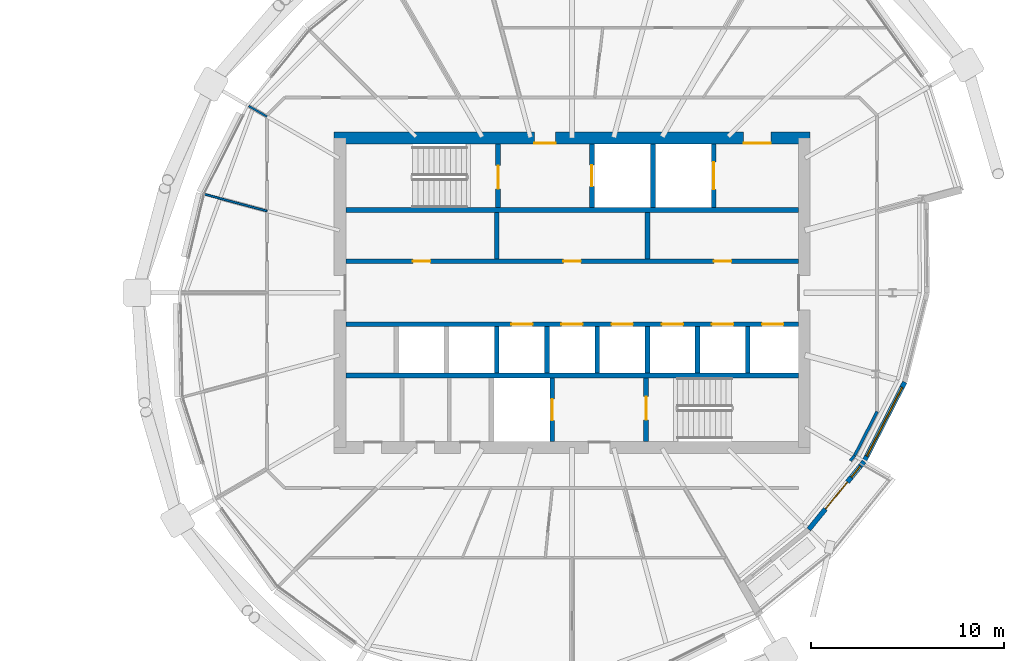
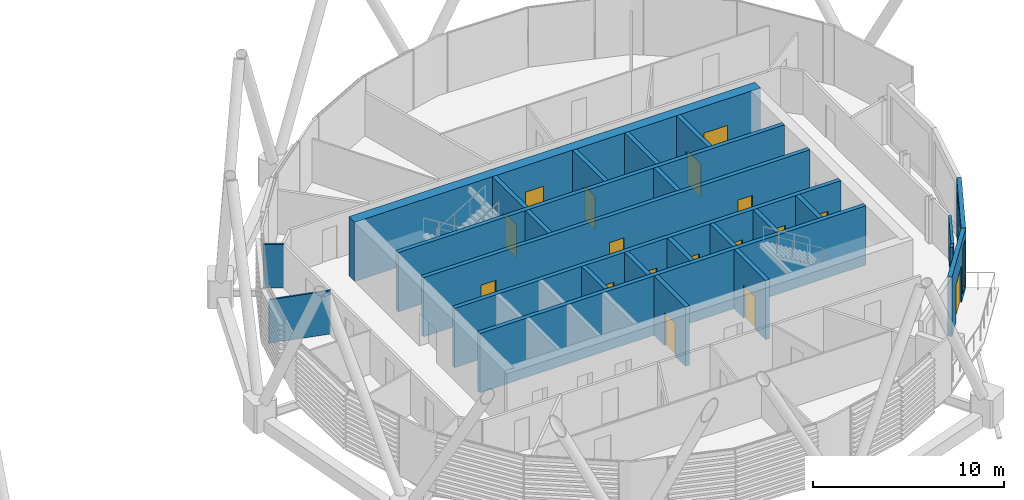
# One storey, part 26 of 36: 25 walls, 17 doors, 2 windows, 19 openings.
"""IFC4 building model written with IfcOpenShell, lengths in metres."""

from ifc_helpers import new_model, si_unit, direction, frame, frame_2d, origin, place, context, subcontext, project, spatial, rectangle, extrude, material, layer, layer_set, type_object, element, fill, save


model = new_model("IFC4")

# Units and contexts
model_context = context("Model", 3, precision=1e-05, world=origin(), true_north=direction((0.0, 1.0)))
body_context = subcontext(model_context, "Body", "Model", "MODEL_VIEW")
ifc_project = project(units=[si_unit("LENGTHUNIT", "METRE"), si_unit("AREAUNIT", "SQUARE_METRE"), si_unit("VOLUMEUNIT", "CUBIC_METRE"), si_unit("PLANEANGLEUNIT", "RADIAN"), si_unit("MASSUNIT", "GRAM", prefix="KILO")], contexts=[model_context])

# Site, building, storey
site_placement = place(None, origin())
site = spatial("IfcSite", under=ifc_project, at=site_placement, CompositionType="ELEMENT")
building_placement = place(site_placement, origin())
building = spatial("IfcBuilding", under=site, at=building_placement, Name="Rimbun Link Towers", CompositionType="ELEMENT")
storey_placement = place(building_placement, frame((0.0, 0.0, 193.10009765625)))
storey = spatial("IfcBuildingStorey", under=building, at=storey_placement, Name="L47", CompositionType="ELEMENT", Elevation=193.10009765625)

# Wall, openings, door, window
ifc_material_1 = material(Name="Dark enamelled glass spandrel on insulated aluminium backpan", Category="aluminium")
ifc_layer_1 = layer(ifc_material_1, 0.25)
ifc_layer_set_1 = layer_set([ifc_layer_1], Name="CS dark enamelled spandrel wall 250")
wall_type_1 = type_object("IfcWallType", Name="CS dark enamelled spandrel wall 250", PredefinedType="STANDARD", material=ifc_layer_set_1)
wall_1_placement = place(storey_placement, frame((46.84912109375, -8.725341796875, 0.0), z_axis=(0.0, 0.0, 1.0), x_axis=(-0.63152540021, -0.775355188858, 0.0)))
wall_1 = element("IfcWall", 1, at=wall_1_placement, inside=storey, type_object=wall_type_1, Name="Crease spandrel wall", PredefinedType="STANDARD", context=body_context, shape_type="SweptSolid", body=[
    extrude(rectangle(XDim=4.530517578125, YDim=0.25, at=frame_2d((2.26513671875, 0.0))), origin(), (0.0, 0.0, 1.0), 3.7998046875),
])
opening_1_placement = place(wall_1_placement, frame((0.3076171875, 0.0, 0.300048828125)))
opening_1 = element("IfcOpeningElement", 2, at=opening_1_placement, cuts=wall_1, Name="Opening WR08H295", PredefinedType="OPENING", context=body_context, shape_type="SweptSolid", body=[
    extrude(rectangle(XDim=0.75, YDim=2.949951171875, at=frame_2d((0.375, 1.47509765625))), frame((0.0, 0.135009765625, 0.0), z_axis=(0.0, -1.0, 0.0), x_axis=(1.0, 0.0, 0.0)), (0.0, 0.0, 1.0), 0.27001953125),
])
opening_2_placement = place(wall_1_placement, frame((1.365234375, 0.0, 0.0)))
opening_2 = element("IfcOpeningElement", 3, at=opening_2_placement, cuts=wall_1, Name="Opening ED78", PredefinedType="OPENING", context=body_context, shape_type="SweptSolid", body=[
    extrude(rectangle(XDim=1.800048828125, YDim=2.39990234375, at=frame_2d((0.89990234375, 1.199951171875))), frame((0.0, 0.135009765625, 0.0), z_axis=(0.0, -1.0, 0.0), x_axis=(1.0, 0.0, 0.0)), (0.0, 0.0, 1.0), 0.27001953125),
])
ifc_material_2 = material(Name="Aluminium framed glazed door, low-iron glass", Category="aluminium")
door_type_1 = type_object("IfcDoorType", Name="ED terrace door double leaf 1800X2400", OperationType="DOUBLE_DOOR_SINGLE_SWING", PredefinedType="DOOR", material=ifc_material_2)
door_1_placement = place(opening_2_placement, origin())
door_1 = element("IfcDoor", 4, at=door_1_placement, inside=storey, type_object=door_type_1, Name="Terrace door", OperationType="SINGLE_SWING_LEFT", OverallHeight=2.39990234375, OverallWidth=1.800048828125, PredefinedType="DOOR", context=body_context, shape_type="SweptSolid", body=[
    extrude(rectangle(XDim=1.800048828125, YDim=2.39990234375, at=frame_2d((0.89990234375, 1.199951171875))), frame((0.0, 0.02490234375, 0.0), z_axis=(0.0, -1.0, 0.0), x_axis=(1.0, 0.0, 0.0)), (0.0, 0.0, 1.0), 0.050048828125),
])
fill(opening_2, door_1)
ifc_material_3 = material(Name="Aluminium framed fixed window, dark tinted low-e glass", Category="aluminium")
window_type_1 = type_object("IfcWindowType", Name="WR ribbon window 750X2950", PartitioningType="SINGLE_PANEL", PredefinedType="WINDOW", material=ifc_material_3)
window_1_placement = place(opening_1_placement, origin())
window_1 = element("IfcWindow", 5, at=window_1_placement, inside=storey, type_object=window_type_1, Name="Crease ribbon window", OverallHeight=2.949951171875, OverallWidth=0.75, PartitioningType="SINGLE_PANEL", PredefinedType="WINDOW", context=body_context, shape_type="SweptSolid", body=[
    extrude(rectangle(XDim=0.75, YDim=2.949951171875, at=frame_2d((0.375, 1.47509765625))), frame((0.0, 0.030029296875, 0.0), z_axis=(0.0, -1.0, 0.0), x_axis=(1.0, 0.0, 0.0)), (0.0, 0.0, 1.0), 0.06005859375),
])
fill(opening_1, window_1)

# Wall, opening, window
wall_2_placement = place(storey_placement, frame((48.952392578125, -4.6220703125, 0.0), z_axis=(0.0, 0.0, 1.0), x_axis=(-0.456150021811, -0.889902892232, 0.0)))
wall_2 = element("IfcWall", 6, at=wall_2_placement, inside=storey, type_object=wall_type_1, Name="Crease spandrel wall", PredefinedType="STANDARD", context=body_context, shape_type="SweptSolid", body=[
    extrude(rectangle(XDim=4.61083984375, YDim=0.25, at=frame_2d((2.305419921875, 0.0))), origin(), (0.0, 0.0, 1.0), 3.7998046875),
])
opening_3_placement = place(wall_2_placement, frame((0.305419921875, 0.0, 0.300048828125)))
opening_3 = element("IfcOpeningElement", 7, at=opening_3_placement, cuts=wall_2, Name="Opening WR40H295", PredefinedType="OPENING", context=body_context, shape_type="SweptSolid", body=[
    extrude(rectangle(XDim=4.0, YDim=2.949951171875, at=frame_2d((2.0, 1.47509765625))), frame((0.0, 0.135009765625, 0.0), z_axis=(0.0, -1.0, 0.0), x_axis=(1.0, 0.0, 0.0)), (0.0, 0.0, 1.0), 0.27001953125),
])
ifc_material_4 = material(Name="Aluminium framed fixed window, dark tinted low-e glass", Category="aluminium")
window_type_2 = type_object("IfcWindowType", Name="WR ribbon window 4000X2950", PartitioningType="SINGLE_PANEL", PredefinedType="WINDOW", material=ifc_material_4)
window_2_placement = place(opening_3_placement, origin())
window_2 = element("IfcWindow", 8, at=window_2_placement, inside=storey, type_object=window_type_2, Name="Crease ribbon window", OverallHeight=2.949951171875, OverallWidth=4.0, PartitioningType="SINGLE_PANEL", PredefinedType="WINDOW", context=body_context, shape_type="SweptSolid", body=[
    extrude(rectangle(XDim=4.0, YDim=2.949951171875, at=frame_2d((2.0, 1.47509765625))), frame((0.0, 0.030029296875, 0.0), z_axis=(0.0, -1.0, 0.0), x_axis=(1.0, 0.0, 0.0)), (0.0, 0.0, 1.0), 0.06005859375),
])
fill(opening_3, window_2)

# Wall, openings, doors
ifc_material_5 = material(Name="Concrete C60/75", Category="concrete")
ifc_layer_2 = layer(ifc_material_5, 0.60009765625)
ifc_layer_set_2 = layer_set([ifc_layer_2], Name="Core shear wall 600")
wall_type_2 = type_object("IfcWallType", Name="Core shear wall 600", PredefinedType="SHEAR", material=ifc_layer_set_2)
wall_3_placement = place(storey_placement, frame((19.449951171875, 8.0, 0.0), z_axis=(0.0, 0.0, 1.0), x_axis=(1.0, 0.0, 0.0)))
wall_3 = element("IfcWall", 9, at=wall_3_placement, inside=storey, type_object=wall_type_2, Name="L47 T2 core wall N", PredefinedType="SHEAR", context=body_context, shape_type="SweptSolid", body=[
    extrude(rectangle(XDim=24.60009765625, YDim=0.60009765625, at=frame_2d((12.300048828125, 0.0))), origin(), (0.0, 0.0, 1.0), 3.7998046875),
])
opening_4_placement = place(wall_3_placement, frame((10.35009765625, 0.0, 0.0)))
opening_4 = element("IfcOpeningElement", 10, at=opening_4_placement, cuts=wall_3, Name="Opening C2DCF01N", PredefinedType="OPENING", context=body_context, shape_type="SweptSolid", body=[
    extrude(rectangle(XDim=1.10009765625, YDim=2.10009765625, at=frame_2d((0.550048828125, 1.050048828125))), frame((0.0, 0.31005859375, 0.0), z_axis=(0.0, -1.0, 0.0), x_axis=(1.0, 0.0, 0.0)), (0.0, 0.0, 1.0), 0.6201171875),
])
opening_5_placement = place(wall_3_placement, frame((21.175048828125, 0.0, 0.0)))
opening_5 = element("IfcOpeningElement", 11, at=opening_5_placement, cuts=wall_3, Name="Opening C2DSL02N", PredefinedType="OPENING", context=body_context, shape_type="SweptSolid", body=[
    extrude(rectangle(XDim=1.39990234375, YDim=2.10009765625, at=frame_2d((0.699951171875, 1.050048828125))), frame((0.0, 0.31005859375, 0.0), z_axis=(0.0, -1.0, 0.0), x_axis=(1.0, 0.0, 0.0)), (0.0, 0.0, 1.0), 0.6201171875),
])
ifc_material_6 = material(Name="Steel fire door set", Category="steel")
door_type_2 = type_object("IfcDoorType", Name="Core fire door single", OperationType="SINGLE_SWING_LEFT", PredefinedType="DOOR", material=ifc_material_6)
door_2_placement = place(opening_4_placement, origin())
door_2 = element("IfcDoor", 12, at=door_2_placement, inside=storey, type_object=door_type_2, Name="L47 T2 firefighting lobby n door", OperationType="SINGLE_SWING_LEFT", OverallHeight=2.10009765625, OverallWidth=1.10009765625, PredefinedType="DOOR", context=body_context, shape_type="SweptSolid", body=[
    extrude(rectangle(XDim=1.10009765625, YDim=2.10009765625, at=frame_2d((0.550048828125, 1.050048828125))), frame((0.0, -0.25, 0.0), z_axis=(0.0, -1.0, 0.0), x_axis=(1.0, 0.0, 0.0)), (0.0, 0.0, 1.0), 0.050048828125),
])
fill(opening_4, door_2)
ifc_material_7 = material(Name="Steel fire door set", Category="steel")
door_type_3 = type_object("IfcDoorType", Name="Service lobby door double", OperationType="DOUBLE_DOOR_SINGLE_SWING", PredefinedType="DOOR", material=ifc_material_7)
door_3_placement = place(opening_5_placement, origin())
door_3 = element("IfcDoor", 13, at=door_3_placement, inside=storey, type_object=door_type_3, Name="L47 T2 service lobby door", OperationType="DOUBLE_DOOR_SINGLE_SWING", OverallHeight=2.10009765625, OverallWidth=1.39990234375, PredefinedType="DOOR", context=body_context, shape_type="SweptSolid", body=[
    extrude(rectangle(XDim=1.39990234375, YDim=2.10009765625, at=frame_2d((0.699951171875, 1.050048828125))), frame((0.0, -0.25, 0.0), z_axis=(0.0, -1.0, 0.0), x_axis=(1.0, 0.0, 0.0)), (0.0, 0.0, 1.0), 0.050048828125),
])
fill(opening_5, door_3)

# Walls
ifc_material_8 = material(Name="Plasterboard on steel stud, mineral wool", Category="steel")
ifc_layer_3 = layer(ifc_material_8, 0.14990234375)
ifc_layer_set_3 = layer_set([ifc_layer_3], Name="Corridor wall EI 30 150 mm")
wall_type_3 = type_object("IfcWallType", Name="Corridor wall EI 30 150 mm", PredefinedType="PARTITIONING", material=ifc_layer_set_3)
wall_4_placement = place(storey_placement, frame((46.364990234375, -8.4091796875, 0.0), z_axis=(0.0, 0.0, 1.0), x_axis=(0.45613926408, 0.88990840639, 0.0)))
element("IfcWall", 14, at=wall_4_placement, inside=storey, type_object=wall_type_3, Name="Corridor wall EI 30 150 mm", PredefinedType="PARTITIONING", context=body_context, shape_type="SweptSolid", body=[
    extrude(rectangle(XDim=2.54296875, YDim=0.14990234375, at=frame_2d((1.271484375, 0.0))), origin(), (0.0, 0.0, 1.0), 2.788818359375),
])
wall_5_placement = place(storey_placement, frame((46.136962890625, -8.689208984375, 0.0), z_axis=(0.0, 0.0, 1.0), x_axis=(0.631432150482, 0.775431131267, 0.0)))
element("IfcWall", 15, at=wall_5_placement, inside=storey, type_object=wall_type_3, Name="Corridor wall EI 30 150 mm", PredefinedType="PARTITIONING", context=body_context, shape_type="SweptSolid", body=[
    extrude(rectangle(XDim=0.361083984375, YDim=0.14990234375, at=frame_2d((0.1806640625, 0.0))), origin(), (0.0, 0.0, 1.0), 2.788818359375),
])
ifc_material_9 = material(Name="Plasterboard on steel stud", Category="steel")
ifc_layer_4 = layer(ifc_material_9, 0.10009765625)
ifc_layer_set_4 = layer_set([ifc_layer_4], Name="Plasterboard partition 100 mm")
wall_type_4 = type_object("IfcWallType", Name="Plasterboard partition 100 mm", PredefinedType="PARTITIONING", material=ifc_layer_set_4)
wall_6_placement = place(storey_placement, frame((15.024169921875, 9.65673828125, 0.0), z_axis=(0.0, 0.0, 1.0), x_axis=(0.866100429271, -0.499870029525, 0.0)))
element("IfcWall", 16, at=wall_6_placement, inside=storey, type_object=wall_type_4, Name="Plasterboard partition 100 mm", PredefinedType="PARTITIONING", context=body_context, shape_type="SweptSolid", body=[
    extrude(rectangle(XDim=1.097900390625, YDim=0.10009765625, at=frame_2d((0.548828125, 0.0))), origin(), (0.0, 0.0, 1.0), 2.788818359375),
])
wall_7_placement = place(storey_placement, frame((12.733642578125, 5.095458984375, 0.0), z_axis=(0.0, 0.0, 1.0), x_axis=(0.965917849167, -0.258848814291, 0.0)))
element("IfcWall", 17, at=wall_7_placement, inside=storey, type_object=wall_type_4, Name="Plasterboard partition 100 mm", PredefinedType="PARTITIONING", context=body_context, shape_type="SweptSolid", body=[
    extrude(rectangle(XDim=3.355712890625, YDim=0.10009765625, at=frame_2d((1.677734375, 0.0))), origin(), (0.0, 0.0, 1.0), 2.788818359375),
])
ifc_material_10 = material(Name="Concrete C60/75", Category="concrete")
ifc_layer_5 = layer(ifc_material_10, 0.25)
ifc_layer_set_5 = layer_set([ifc_layer_5], Name="Shaft wall 250")
wall_type_5 = type_object("IfcWallType", Name="Shaft wall 250", PredefinedType="SHEAR", material=ifc_layer_set_5)
for number, where, z_axis, x_axis, name in (
    (18, (20.050048828125, 4.27490234375, 0.0), (0.0, 0.0, 1.0), (1.0, 0.0, 0.0), "L47 T2 core wall BN"),
    (19, (20.050048828125, -4.27490234375, 0.0), (0.0, 0.0, 1.0), (1.0, 0.0, 0.0), "L47 T2 core wall BS"),
):
    element("IfcWall", number, at=place(storey_placement, frame(where, z_axis=z_axis, x_axis=x_axis)), inside=storey, type_object=wall_type_5, Name=name, PredefinedType="SHEAR", context=body_context, shape_type="SweptSolid", body=[
        extrude(rectangle(XDim=23.39990234375, YDim=0.25, at=frame_2d((11.699951171875, 0.0))), origin(), (0.0, 0.0, 1.0), 3.7998046875),
    ])

# Wall, openings, doors
wall_8_placement = place(storey_placement, frame((20.050048828125, 1.625, 0.0), z_axis=(0.0, 0.0, 1.0), x_axis=(1.0, 0.0, 0.0)))
wall_8 = element("IfcWall", 20, at=wall_8_placement, inside=storey, type_object=wall_type_5, Name="L47 T2 core wall FN", PredefinedType="SHEAR", context=body_context, shape_type="SweptSolid", body=[
    extrude(rectangle(XDim=23.39990234375, YDim=0.25, at=frame_2d((11.699951171875, 0.0))), origin(), (0.0, 0.0, 1.0), 3.7998046875),
])
opening_6_placement = place(wall_8_placement, frame((3.466796875, 0.0, 0.0)))
opening_6 = element("IfcOpeningElement", 21, at=opening_6_placement, cuts=wall_8, Name="Opening C2DRS01FN", PredefinedType="OPENING", context=body_context, shape_type="SweptSolid", body=[
    extrude(rectangle(XDim=0.89990234375, YDim=2.10009765625, at=frame_2d((0.449951171875, 1.050048828125))), frame((0.0, 0.135009765625, 0.0), z_axis=(0.0, -1.0, 0.0), x_axis=(1.0, 0.0, 0.0)), (0.0, 0.0, 1.0), 0.27001953125),
])
opening_7_placement = place(wall_8_placement, frame((11.25, 0.0, 0.0)))
opening_7 = element("IfcOpeningElement", 22, at=opening_7_placement, cuts=wall_8, Name="Opening C2DRS02FN", PredefinedType="OPENING", context=body_context, shape_type="SweptSolid", body=[
    extrude(rectangle(XDim=0.89990234375, YDim=2.10009765625, at=frame_2d((0.449951171875, 1.050048828125))), frame((0.0, 0.135009765625, 0.0), z_axis=(0.0, -1.0, 0.0), x_axis=(1.0, 0.0, 0.0)), (0.0, 0.0, 1.0), 0.27001953125),
])
opening_8_placement = place(wall_8_placement, frame((19.033203125, 0.0, 0.0)))
opening_8 = element("IfcOpeningElement", 23, at=opening_8_placement, cuts=wall_8, Name="Opening C2DRS03FN", PredefinedType="OPENING", context=body_context, shape_type="SweptSolid", body=[
    extrude(rectangle(XDim=0.89990234375, YDim=2.10009765625, at=frame_2d((0.449951171875, 1.050048828125))), frame((0.0, 0.135009765625, 0.0), z_axis=(0.0, -1.0, 0.0), x_axis=(1.0, 0.0, 0.0)), (0.0, 0.0, 1.0), 0.27001953125),
])
ifc_material_11 = material(Name="Steel fire door set", Category="steel")
door_type_4 = type_object("IfcDoorType", Name="Core riser door", OperationType="SINGLE_SWING_LEFT", PredefinedType="DOOR", material=ifc_material_11)
door_4_placement = place(opening_6_placement, origin())
door_4 = element("IfcDoor", 24, at=door_4_placement, inside=storey, type_object=door_type_4, Name="L47 T2 records store door", OperationType="SINGLE_SWING_RIGHT", OverallHeight=2.10009765625, OverallWidth=0.89990234375, PredefinedType="DOOR", context=body_context, shape_type="SweptSolid", body=[
    extrude(rectangle(XDim=0.89990234375, YDim=2.10009765625, at=frame_2d((0.449951171875, 1.050048828125))), frame((0.0, 0.02490234375, 0.0), z_axis=(0.0, -1.0, 0.0), x_axis=(1.0, 0.0, 0.0)), (0.0, 0.0, 1.0), 0.050048828125),
])
fill(opening_6, door_4)
door_5_placement = place(opening_7_placement, origin())
door_5 = element("IfcDoor", 25, at=door_5_placement, inside=storey, type_object=door_type_4, Name="L47 T2 training store door", OperationType="SINGLE_SWING_LEFT", OverallHeight=2.10009765625, OverallWidth=0.89990234375, PredefinedType="DOOR", context=body_context, shape_type="SweptSolid", body=[
    extrude(rectangle(XDim=0.89990234375, YDim=2.10009765625, at=frame_2d((0.449951171875, 1.050048828125))), frame((0.0, 0.02490234375, 0.0), z_axis=(0.0, -1.0, 0.0), x_axis=(1.0, 0.0, 0.0)), (0.0, 0.0, 1.0), 0.050048828125),
])
fill(opening_7, door_5)
door_6_placement = place(opening_8_placement, origin())
door_6 = element("IfcDoor", 26, at=door_6_placement, inside=storey, type_object=door_type_4, Name="L47 T2 meeting pod door", OperationType="SINGLE_SWING_LEFT", OverallHeight=2.10009765625, OverallWidth=0.89990234375, PredefinedType="DOOR", context=body_context, shape_type="SweptSolid", body=[
    extrude(rectangle(XDim=0.89990234375, YDim=2.10009765625, at=frame_2d((0.449951171875, 1.050048828125))), frame((0.0, 0.02490234375, 0.0), z_axis=(0.0, -1.0, 0.0), x_axis=(1.0, 0.0, 0.0)), (0.0, 0.0, 1.0), 0.050048828125),
])
fill(opening_8, door_6)

wall_9_placement = place(storey_placement, frame((20.050048828125, -1.625, 0.0), z_axis=(0.0, 0.0, 1.0), x_axis=(1.0, 0.0, 0.0)))
wall_9 = element("IfcWall", 27, at=wall_9_placement, inside=storey, type_object=wall_type_5, Name="L47 T2 core wall FS", PredefinedType="SHEAR", context=body_context, shape_type="SweptSolid", body=[
    extrude(rectangle(XDim=23.39990234375, YDim=0.25, at=frame_2d((11.699951171875, 0.0))), origin(), (0.0, 0.0, 1.0), 3.7998046875),
])
opening_9_placement = place(wall_9_placement, frame((8.5556640625, 0.0, 0.0)))
opening_9 = element("IfcOpeningElement", 28, at=opening_9_placement, cuts=wall_9, Name="Opening LD-T2-HR1", PredefinedType="OPENING", context=body_context, shape_type="SweptSolid", body=[
    extrude(rectangle(XDim=1.10009765625, YDim=2.10009765625, at=frame_2d((0.550048828125, 1.050048828125))), frame((0.0, 0.135009765625, 0.0), z_axis=(0.0, -1.0, 0.0), x_axis=(1.0, 0.0, 0.0)), (0.0, 0.0, 1.0), 0.27001953125),
])
opening_10_placement = place(wall_9_placement, frame((11.14990234375, 0.0, 0.0)))
opening_10 = element("IfcOpeningElement", 29, at=opening_10_placement, cuts=wall_9, Name="Opening LD-T2-HR2", PredefinedType="OPENING", context=body_context, shape_type="SweptSolid", body=[
    extrude(rectangle(XDim=1.10009765625, YDim=2.10009765625, at=frame_2d((0.550048828125, 1.050048828125))), frame((0.0, 0.135009765625, 0.0), z_axis=(0.0, -1.0, 0.0), x_axis=(1.0, 0.0, 0.0)), (0.0, 0.0, 1.0), 0.27001953125),
])
opening_11_placement = place(wall_9_placement, frame((13.744384765625, 0.0, 0.0)))
opening_11 = element("IfcOpeningElement", 30, at=opening_11_placement, cuts=wall_9, Name="Opening LD-T2-HR3", PredefinedType="OPENING", context=body_context, shape_type="SweptSolid", body=[
    extrude(rectangle(XDim=1.10009765625, YDim=2.10009765625, at=frame_2d((0.550048828125, 1.050048828125))), frame((0.0, 0.135009765625, 0.0), z_axis=(0.0, -1.0, 0.0), x_axis=(1.0, 0.0, 0.0)), (0.0, 0.0, 1.0), 0.27001953125),
])
opening_12_placement = place(wall_9_placement, frame((16.3388671875, 0.0, 0.0)))
opening_12 = element("IfcOpeningElement", 31, at=opening_12_placement, cuts=wall_9, Name="Opening LD-T2-HR4", PredefinedType="OPENING", context=body_context, shape_type="SweptSolid", body=[
    extrude(rectangle(XDim=1.10009765625, YDim=2.10009765625, at=frame_2d((0.550048828125, 1.050048828125))), frame((0.0, 0.135009765625, 0.0), z_axis=(0.0, -1.0, 0.0), x_axis=(1.0, 0.0, 0.0)), (0.0, 0.0, 1.0), 0.27001953125),
])
opening_13_placement = place(wall_9_placement, frame((18.933349609375, 0.0, 0.0)))
opening_13 = element("IfcOpeningElement", 32, at=opening_13_placement, cuts=wall_9, Name="Opening LD-T2-HR5", PredefinedType="OPENING", context=body_context, shape_type="SweptSolid", body=[
    extrude(rectangle(XDim=1.10009765625, YDim=2.10009765625, at=frame_2d((0.550048828125, 1.050048828125))), frame((0.0, 0.135009765625, 0.0), z_axis=(0.0, -1.0, 0.0), x_axis=(1.0, 0.0, 0.0)), (0.0, 0.0, 1.0), 0.27001953125),
])
opening_14_placement = place(wall_9_placement, frame((21.52783203125, 0.0, 0.0)))
opening_14 = element("IfcOpeningElement", 33, at=opening_14_placement, cuts=wall_9, Name="Opening LD-T2-HR6", PredefinedType="OPENING", context=body_context, shape_type="SweptSolid", body=[
    extrude(rectangle(XDim=1.10009765625, YDim=2.10009765625, at=frame_2d((0.550048828125, 1.050048828125))), frame((0.0, 0.135009765625, 0.0), z_axis=(0.0, -1.0, 0.0), x_axis=(1.0, 0.0, 0.0)), (0.0, 0.0, 1.0), 0.27001953125),
])
ifc_material_12 = material(Name="Stainless steel grade 316", Category="steel")
door_type_5 = type_object("IfcDoorType", Name="Lift landing door", OperationType="DOUBLE_DOOR_SLIDING", PredefinedType="DOOR", material=ifc_material_12)
door_7_placement = place(opening_9_placement, origin())
door_7 = element("IfcDoor", 34, at=door_7_placement, inside=storey, type_object=door_type_5, Name="L47 T2 lift HR1 landing door", OperationType="DOUBLE_DOOR_SLIDING", OverallHeight=2.10009765625, OverallWidth=1.10009765625, PredefinedType="DOOR", context=body_context, shape_type="SweptSolid", body=[
    extrude(rectangle(XDim=1.10009765625, YDim=2.10009765625, at=frame_2d((0.550048828125, 1.050048828125))), frame((0.0, 0.02490234375, 0.0), z_axis=(0.0, -1.0, 0.0), x_axis=(1.0, 0.0, 0.0)), (0.0, 0.0, 1.0), 0.050048828125),
])
fill(opening_9, door_7)
door_8_placement = place(opening_10_placement, origin())
door_8 = element("IfcDoor", 35, at=door_8_placement, inside=storey, type_object=door_type_5, Name="L47 T2 lift HR2 landing door", OperationType="DOUBLE_DOOR_SLIDING", OverallHeight=2.10009765625, OverallWidth=1.10009765625, PredefinedType="DOOR", context=body_context, shape_type="SweptSolid", body=[
    extrude(rectangle(XDim=1.10009765625, YDim=2.10009765625, at=frame_2d((0.550048828125, 1.050048828125))), frame((0.0, 0.02490234375, 0.0), z_axis=(0.0, -1.0, 0.0), x_axis=(1.0, 0.0, 0.0)), (0.0, 0.0, 1.0), 0.050048828125),
])
fill(opening_10, door_8)
door_9_placement = place(opening_11_placement, origin())
door_9 = element("IfcDoor", 36, at=door_9_placement, inside=storey, type_object=door_type_5, Name="L47 T2 lift HR3 landing door", OperationType="DOUBLE_DOOR_SLIDING", OverallHeight=2.10009765625, OverallWidth=1.10009765625, PredefinedType="DOOR", context=body_context, shape_type="SweptSolid", body=[
    extrude(rectangle(XDim=1.10009765625, YDim=2.10009765625, at=frame_2d((0.550048828125, 1.050048828125))), frame((0.0, 0.02490234375, 0.0), z_axis=(0.0, -1.0, 0.0), x_axis=(1.0, 0.0, 0.0)), (0.0, 0.0, 1.0), 0.050048828125),
])
fill(opening_11, door_9)
door_10_placement = place(opening_12_placement, origin())
door_10 = element("IfcDoor", 37, at=door_10_placement, inside=storey, type_object=door_type_5, Name="L47 T2 lift HR4 landing door", OperationType="DOUBLE_DOOR_SLIDING", OverallHeight=2.10009765625, OverallWidth=1.10009765625, PredefinedType="DOOR", context=body_context, shape_type="SweptSolid", body=[
    extrude(rectangle(XDim=1.10009765625, YDim=2.10009765625, at=frame_2d((0.550048828125, 1.050048828125))), frame((0.0, 0.02490234375, 0.0), z_axis=(0.0, -1.0, 0.0), x_axis=(1.0, 0.0, 0.0)), (0.0, 0.0, 1.0), 0.050048828125),
])
fill(opening_12, door_10)
door_11_placement = place(opening_13_placement, origin())
door_11 = element("IfcDoor", 38, at=door_11_placement, inside=storey, type_object=door_type_5, Name="L47 T2 lift HR5 landing door", OperationType="DOUBLE_DOOR_SLIDING", OverallHeight=2.10009765625, OverallWidth=1.10009765625, PredefinedType="DOOR", context=body_context, shape_type="SweptSolid", body=[
    extrude(rectangle(XDim=1.10009765625, YDim=2.10009765625, at=frame_2d((0.550048828125, 1.050048828125))), frame((0.0, 0.02490234375, 0.0), z_axis=(0.0, -1.0, 0.0), x_axis=(1.0, 0.0, 0.0)), (0.0, 0.0, 1.0), 0.050048828125),
])
fill(opening_13, door_11)
door_12_placement = place(opening_14_placement, origin())
door_12 = element("IfcDoor", 39, at=door_12_placement, inside=storey, type_object=door_type_5, Name="L47 T2 lift HR6 landing door", OperationType="DOUBLE_DOOR_SLIDING", OverallHeight=2.10009765625, OverallWidth=1.10009765625, PredefinedType="DOOR", context=body_context, shape_type="SweptSolid", body=[
    extrude(rectangle(XDim=1.10009765625, YDim=2.10009765625, at=frame_2d((0.550048828125, 1.050048828125))), frame((0.0, 0.02490234375, 0.0), z_axis=(0.0, -1.0, 0.0), x_axis=(1.0, 0.0, 0.0)), (0.0, 0.0, 1.0), 0.050048828125),
])
fill(opening_14, door_12)

# Walls
for number, where, z_axis, x_axis, name in (
    (40, (27.8583984375, 1.75, 0.0), (0.0, 0.0, 1.0), (0.0, 1.0, 0.0), "L47 T2 core wall DN2"),
    (41, (35.6416015625, 1.75, 0.0), (0.0, 0.0, 1.0), (0.0, 1.0, 0.0), "L47 T2 core wall DN5"),
    (42, (27.8583984375, -4.14990234375, 0.0), (0.0, 0.0, 1.0), (0.0, 1.0, 0.0), "L47 T2 core wall DS2"),
    (43, (30.452880859375, -4.14990234375, 0.0), (0.0, 0.0, 1.0), (0.0, 1.0, 0.0), "L47 T2 core wall DS3"),
    (44, (33.047119140625, -4.14990234375, 0.0), (0.0, 0.0, 1.0), (0.0, 1.0, 0.0), "L47 T2 core wall DS4"),
    (45, (35.6416015625, -4.14990234375, 0.0), (0.0, 0.0, 1.0), (0.0, 1.0, 0.0), "L47 T2 core wall DS5"),
    (46, (38.236083984375, -4.14990234375, 0.0), (0.0, 0.0, 1.0), (0.0, 1.0, 0.0), "L47 T2 core wall DS6"),
    (47, (40.83056640625, -4.14990234375, 0.0), (0.0, 0.0, 1.0), (0.0, 1.0, 0.0), "L47 T2 core wall DS7"),
):
    element("IfcWall", number, at=place(storey_placement, frame(where, z_axis=z_axis, x_axis=x_axis)), inside=storey, type_object=wall_type_5, Name=name, PredefinedType="SHEAR", context=body_context, shape_type="SweptSolid", body=[
        extrude(rectangle(XDim=2.39990234375, YDim=0.25, at=frame_2d((1.199951171875, 0.0))), origin(), (0.0, 0.0, 1.0), 3.7998046875),
    ])

# Wall, opening, door
wall_10_placement = place(storey_placement, frame((27.925048828125, 4.39990234375, 0.0), z_axis=(0.0, 0.0, 1.0), x_axis=(0.0, 1.0, 0.0)))
wall_10 = element("IfcWall", 48, at=wall_10_placement, inside=storey, type_object=wall_type_5, Name="L47 T2 core wall A1", PredefinedType="SHEAR", context=body_context, shape_type="SweptSolid", body=[
    extrude(rectangle(XDim=3.300048828125, YDim=0.25, at=frame_2d((1.64990234375, 0.0))), origin(), (0.0, 0.0, 1.0), 3.7998046875),
])
opening_15_placement = place(wall_10_placement, frame((0.97509765625, 0.0, 0.0)))
opening_15 = element("IfcOpeningElement", 49, at=opening_15_placement, cuts=wall_10, Name="Opening C2DST01A1", PredefinedType="OPENING", context=body_context, shape_type="SweptSolid", body=[
    extrude(rectangle(XDim=1.199951171875, YDim=2.10009765625, at=frame_2d((0.60009765625, 1.050048828125))), frame((0.0, 0.135009765625, 0.0), z_axis=(0.0, -1.0, 0.0), x_axis=(1.0, 0.0, 0.0)), (0.0, 0.0, 1.0), 0.27001953125),
])
ifc_material_13 = material(Name="Steel fire door set", Category="steel")
door_type_6 = type_object("IfcDoorType", Name="Stair door", OperationType="SINGLE_SWING_LEFT", PredefinedType="DOOR", material=ifc_material_13)
door_13_placement = place(opening_15_placement, origin())
door_13 = element("IfcDoor", 50, at=door_13_placement, inside=storey, type_object=door_type_6, Name="L47 T2 stair a door", OperationType="SINGLE_SWING_RIGHT", OverallHeight=2.10009765625, OverallWidth=1.199951171875, PredefinedType="DOOR", context=body_context, shape_type="SweptSolid", body=[
    extrude(rectangle(XDim=1.199951171875, YDim=2.10009765625, at=frame_2d((0.60009765625, 1.050048828125))), frame((0.0, 0.02490234375, 0.0), z_axis=(0.0, -1.0, 0.0), x_axis=(1.0, 0.0, 0.0)), (0.0, 0.0, 1.0), 0.050048828125),
])
fill(opening_15, door_13)

wall_11_placement = place(storey_placement, frame((32.77490234375, 4.39990234375, 0.0), z_axis=(0.0, 0.0, 1.0), x_axis=(0.0, 1.0, 0.0)))
wall_11 = element("IfcWall", 51, at=wall_11_placement, inside=storey, type_object=wall_type_5, Name="L47 T2 core wall A2", PredefinedType="SHEAR", context=body_context, shape_type="SweptSolid", body=[
    extrude(rectangle(XDim=3.300048828125, YDim=0.25, at=frame_2d((1.64990234375, 0.0))), origin(), (0.0, 0.0, 1.0), 3.7998046875),
])
opening_16_placement = place(wall_11_placement, frame((1.10009765625, 0.0, 0.0)))
opening_16 = element("IfcOpeningElement", 52, at=opening_16_placement, cuts=wall_11, Name="Opening LD-T2-FF1", PredefinedType="OPENING", context=body_context, shape_type="SweptSolid", body=[
    extrude(rectangle(XDim=1.10009765625, YDim=2.10009765625, at=frame_2d((0.550048828125, 1.050048828125))), frame((0.0, 0.135009765625, 0.0), z_axis=(0.0, -1.0, 0.0), x_axis=(1.0, 0.0, 0.0)), (0.0, 0.0, 1.0), 0.27001953125),
])
door_14_placement = place(opening_16_placement, origin())
door_14 = element("IfcDoor", 53, at=door_14_placement, inside=storey, type_object=door_type_5, Name="L47 T2 lift FF1 landing door", OperationType="DOUBLE_DOOR_SLIDING", OverallHeight=2.10009765625, OverallWidth=1.10009765625, PredefinedType="DOOR", context=body_context, shape_type="SweptSolid", body=[
    extrude(rectangle(XDim=1.10009765625, YDim=2.10009765625, at=frame_2d((0.550048828125, 1.050048828125))), frame((0.0, 0.02490234375, 0.0), z_axis=(0.0, -1.0, 0.0), x_axis=(1.0, 0.0, 0.0)), (0.0, 0.0, 1.0), 0.050048828125),
])
fill(opening_16, door_14)

# Wall
wall_12_placement = place(storey_placement, frame((35.925048828125, 4.39990234375, 0.0), z_axis=(0.0, 0.0, 1.0), x_axis=(0.0, 1.0, 0.0)))
element("IfcWall", 54, at=wall_12_placement, inside=storey, type_object=wall_type_5, Name="L47 T2 core wall A3", PredefinedType="SHEAR", context=body_context, shape_type="SweptSolid", body=[
    extrude(rectangle(XDim=3.300048828125, YDim=0.25, at=frame_2d((1.64990234375, 0.0))), origin(), (0.0, 0.0, 1.0), 3.7998046875),
])

# Wall, opening, door
wall_13_placement = place(storey_placement, frame((39.074951171875, 4.39990234375, 0.0), z_axis=(0.0, 0.0, 1.0), x_axis=(0.0, 1.0, 0.0)))
wall_13 = element("IfcWall", 55, at=wall_13_placement, inside=storey, type_object=wall_type_5, Name="L47 T2 core wall A4", PredefinedType="SHEAR", context=body_context, shape_type="SweptSolid", body=[
    extrude(rectangle(XDim=3.300048828125, YDim=0.25, at=frame_2d((1.64990234375, 0.0))), origin(), (0.0, 0.0, 1.0), 3.7998046875),
])
opening_17_placement = place(wall_13_placement, frame((0.949951171875, 0.0, 0.0)))
opening_17 = element("IfcOpeningElement", 56, at=opening_17_placement, cuts=wall_13, Name="Opening LD-T2-GL1", PredefinedType="OPENING", context=body_context, shape_type="SweptSolid", body=[
    extrude(rectangle(XDim=1.39990234375, YDim=2.10009765625, at=frame_2d((0.699951171875, 1.050048828125))), frame((0.0, 0.135009765625, 0.0), z_axis=(0.0, -1.0, 0.0), x_axis=(1.0, 0.0, 0.0)), (0.0, 0.0, 1.0), 0.27001953125),
])
ifc_material_14 = material(Name="Stainless steel grade 316", Category="steel")
door_type_7 = type_object("IfcDoorType", Name="Goods lift landing door", OperationType="DOUBLE_DOOR_SLIDING", PredefinedType="DOOR", material=ifc_material_14)
door_15_placement = place(opening_17_placement, origin())
door_15 = element("IfcDoor", 57, at=door_15_placement, inside=storey, type_object=door_type_7, Name="L47 T2 lift GL1 landing door", OperationType="DOUBLE_DOOR_SLIDING", OverallHeight=2.10009765625, OverallWidth=1.39990234375, PredefinedType="DOOR", context=body_context, shape_type="SweptSolid", body=[
    extrude(rectangle(XDim=1.39990234375, YDim=2.10009765625, at=frame_2d((0.699951171875, 1.050048828125))), frame((0.0, 0.02490234375, 0.0), z_axis=(0.0, -1.0, 0.0), x_axis=(1.0, 0.0, 0.0)), (0.0, 0.0, 1.0), 0.050048828125),
])
fill(opening_17, door_15)

wall_14_placement = place(storey_placement, frame((35.574951171875, -4.39990234375, 0.0), z_axis=(0.0, 0.0, 1.0), x_axis=(0.0, -1.0, 0.0)))
wall_14 = element("IfcWall", 58, at=wall_14_placement, inside=storey, type_object=wall_type_5, Name="L47 T2 core wall B1", PredefinedType="SHEAR", context=body_context, shape_type="SweptSolid", body=[
    extrude(rectangle(XDim=3.300048828125, YDim=0.25, at=frame_2d((1.64990234375, 0.0))), origin(), (0.0, 0.0, 1.0), 3.7998046875),
])
opening_18_placement = place(wall_14_placement, frame((0.97509765625, 0.0, 0.0)))
opening_18 = element("IfcOpeningElement", 59, at=opening_18_placement, cuts=wall_14, Name="Opening C2DST01B1", PredefinedType="OPENING", context=body_context, shape_type="SweptSolid", body=[
    extrude(rectangle(XDim=1.199951171875, YDim=2.10009765625, at=frame_2d((0.60009765625, 1.050048828125))), frame((0.0, 0.135009765625, 0.0), z_axis=(0.0, -1.0, 0.0), x_axis=(1.0, 0.0, 0.0)), (0.0, 0.0, 1.0), 0.27001953125),
])
door_16_placement = place(opening_18_placement, origin())
door_16 = element("IfcDoor", 60, at=door_16_placement, inside=storey, type_object=door_type_6, Name="L47 T2 stair b door", OperationType="SINGLE_SWING_RIGHT", OverallHeight=2.10009765625, OverallWidth=1.199951171875, PredefinedType="DOOR", context=body_context, shape_type="SweptSolid", body=[
    extrude(rectangle(XDim=1.199951171875, YDim=2.10009765625, at=frame_2d((0.60009765625, 1.050048828125))), frame((0.0, 0.02490234375, 0.0), z_axis=(0.0, -1.0, 0.0), x_axis=(1.0, 0.0, 0.0)), (0.0, 0.0, 1.0), 0.050048828125),
])
fill(opening_18, door_16)

wall_15_placement = place(storey_placement, frame((30.72509765625, -4.39990234375, 0.0), z_axis=(0.0, 0.0, 1.0), x_axis=(0.0, -1.0, 0.0)))
wall_15 = element("IfcWall", 61, at=wall_15_placement, inside=storey, type_object=wall_type_5, Name="L47 T2 core wall B2", PredefinedType="SHEAR", context=body_context, shape_type="SweptSolid", body=[
    extrude(rectangle(XDim=3.300048828125, YDim=0.25, at=frame_2d((1.64990234375, 0.0))), origin(), (0.0, 0.0, 1.0), 3.7998046875),
])
opening_19_placement = place(wall_15_placement, frame((1.10009765625, 0.0, 0.0)))
opening_19 = element("IfcOpeningElement", 62, at=opening_19_placement, cuts=wall_15, Name="Opening LD-T2-FF2", PredefinedType="OPENING", context=body_context, shape_type="SweptSolid", body=[
    extrude(rectangle(XDim=1.10009765625, YDim=2.10009765625, at=frame_2d((0.550048828125, 1.050048828125))), frame((0.0, 0.135009765625, 0.0), z_axis=(0.0, -1.0, 0.0), x_axis=(1.0, 0.0, 0.0)), (0.0, 0.0, 1.0), 0.27001953125),
])
door_17_placement = place(opening_19_placement, origin())
door_17 = element("IfcDoor", 63, at=door_17_placement, inside=storey, type_object=door_type_5, Name="L47 T2 lift FF2 landing door", OperationType="DOUBLE_DOOR_SLIDING", OverallHeight=2.10009765625, OverallWidth=1.10009765625, PredefinedType="DOOR", context=body_context, shape_type="SweptSolid", body=[
    extrude(rectangle(XDim=1.10009765625, YDim=2.10009765625, at=frame_2d((0.550048828125, 1.050048828125))), frame((0.0, 0.02490234375, 0.0), z_axis=(0.0, -1.0, 0.0), x_axis=(1.0, 0.0, 0.0)), (0.0, 0.0, 1.0), 0.050048828125),
])
fill(opening_19, door_17)

save(model, "model.ifc")
